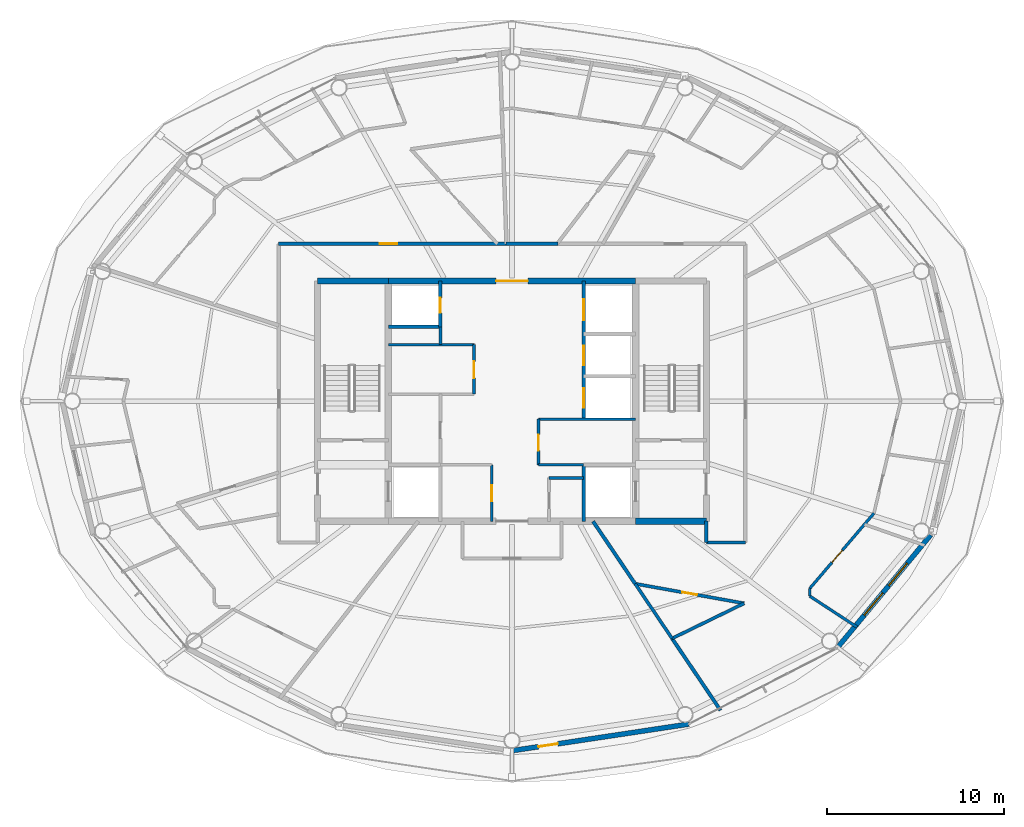
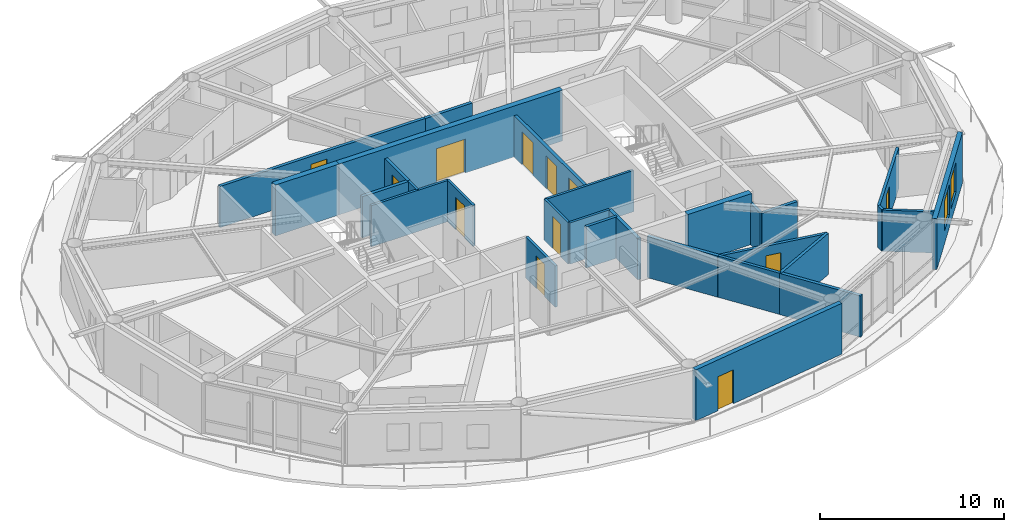
# One storey, part 17 of 22: 29 walls, 12 doors, 2 windows, 14 openings.
"""IFC4 building model written with IfcOpenShell, lengths in metres."""

from ifc_helpers import new_model, si_unit, direction, frame, frame_2d, origin, place, context, subcontext, project, spatial, rectangle, extrude, material, layer, layer_set, type_object, element, fill, save


model = new_model("IFC4")

# Units and contexts
model_context = context("Model", 3, precision=1e-05, world=origin(), true_north=direction((0.0, 1.0)))
body_context = subcontext(model_context, "Body", "Model", "MODEL_VIEW")
ifc_project = project(units=[si_unit("LENGTHUNIT", "METRE"), si_unit("AREAUNIT", "SQUARE_METRE"), si_unit("VOLUMEUNIT", "CUBIC_METRE"), si_unit("PLANEANGLEUNIT", "RADIAN"), si_unit("MASSUNIT", "GRAM", prefix="KILO")], contexts=[model_context])

# Site, building, storey
site_placement = place(None, origin())
site = spatial("IfcSite", under=ifc_project, at=site_placement, CompositionType="ELEMENT")
building_placement = place(site_placement, origin())
building = spatial("IfcBuilding", under=site, at=building_placement, Name="Sarneth Arch Tower", CompositionType="ELEMENT")
storey_placement = place(building_placement, frame((0.0, 0.0, 291.0)))
storey = spatial("IfcBuildingStorey", under=building, at=storey_placement, Name="L75", CompositionType="ELEMENT", Elevation=291.0)

# Walls
ifc_material_1 = material(Name="Concrete C50/60", Category="concrete")
ifc_layer_1 = layer(ifc_material_1, 0.35009765625)
ifc_layer_set_1 = layer_set([ifc_layer_1], Name="Concrete C50/60")
wall_type_1 = type_object("IfcWallType", Name="WALL-CORE-350", PredefinedType="SHEAR", material=ifc_layer_set_1)
for number, where, z_axis, x_axis, name in (
    (1, (55.0, 35.199951171875, 0.0), (0.0, 0.0, 1.0), (1.0, 0.0, 0.0), "L75 Core shear wall S-E"),
    (2, (37.0, 48.800048828125, 0.0), (0.0, 0.0, 1.0), (1.0, 0.0, 0.0), "L75 Core shear wall N-W"),
):
    element("IfcWall", number, at=place(storey_placement, frame(where, z_axis=z_axis, x_axis=x_axis)), inside=storey, type_object=wall_type_1, Name=name, PredefinedType="SHEAR", context=body_context, shape_type="SweptSolid", body=[
        extrude(rectangle(XDim=4.0, YDim=0.35009765625, at=frame_2d((2.0, 0.0))), origin(), (0.0, 0.0, 1.0), 3.3701171875),
    ])

# Wall, opening, door
wall_1_placement = place(storey_placement, frame((41.0, 48.800048828125, 0.0), z_axis=(0.0, 0.0, 1.0), x_axis=(1.0, 0.0, 0.0)))
wall_1 = element("IfcWall", 3, at=wall_1_placement, inside=storey, type_object=wall_type_1, Name="L75 Core shear wall N-M", PredefinedType="SHEAR", context=body_context, shape_type="SweptSolid", body=[
    extrude(rectangle(XDim=14.0, YDim=0.35009765625, at=frame_2d((7.0, 0.0))), origin(), (0.0, 0.0, 1.0), 3.3701171875),
])
opening_1_placement = place(wall_1_placement, frame((6.10009765625, 0.0, 0.0)))
opening_1 = element("IfcOpeningElement", 4, at=opening_1_placement, cuts=wall_1, Name="Opening FD-01", PredefinedType="OPENING", context=body_context, shape_type="SweptSolid", body=[
    extrude(rectangle(XDim=1.800048828125, YDim=2.25, at=frame_2d((0.89990234375, 1.125))), frame((0.0, 0.18505859375, 0.0), z_axis=(0.0, -1.0, 0.0), x_axis=(1.0, 0.0, 0.0)), (0.0, 0.0, 1.0), 0.3701171875),
])
ifc_material_2 = material(Name="Galvanised Steel S275 fire door set", Category="steel")
door_type_1 = type_object("IfcDoorType", Name="DR-FD90-1800", OperationType="DOUBLE_DOOR_SINGLE_SWING", PredefinedType="DOOR", material=ifc_material_2)
door_1_placement = place(opening_1_placement, origin())
door_1 = element("IfcDoor", 5, at=door_1_placement, inside=storey, type_object=door_type_1, Name="L75 Central lift lobby north door", OperationType="DOUBLE_DOOR_SINGLE_SWING", OverallHeight=2.25, OverallWidth=1.800048828125, PredefinedType="DOOR", context=body_context, shape_type="SweptSolid", body=[
    extrude(rectangle(XDim=1.800048828125, YDim=2.25, at=frame_2d((0.89990234375, 1.125))), frame((0.0, 0.02490234375, 0.0), z_axis=(0.0, -1.0, 0.0), x_axis=(1.0, 0.0, 0.0)), (0.0, 0.0, 1.0), 0.050048828125),
])
fill(opening_1, door_1)

ifc_material_3 = material(Name="Double steel-stud corridor fire wall", Category="steel")
ifc_layer_2 = layer(ifc_material_3, 0.18994140625)
ifc_layer_set_2 = layer_set([ifc_layer_2], Name="Double steel-stud corridor fire wall")
wall_type_2 = type_object("IfcWallType", Name="WALL-CORR-190", PredefinedType="PARTITIONING", material=ifc_layer_set_2)
wall_2_placement = place(storey_placement, frame((34.800048828125, 50.89990234375, 0.0), z_axis=(0.0, 0.0, 1.0), x_axis=(1.0, 0.0, 0.0)))
wall_2 = element("IfcWall", 6, at=wall_2_placement, inside=storey, type_object=wall_type_2, Name="L75 Interior partition W-L75-TP-006", PredefinedType="PARTITIONING", context=body_context, shape_type="SweptSolid", body=[
    extrude(rectangle(XDim=12.921142578125, YDim=0.18994140625, at=frame_2d((6.46044921875, 0.0))), origin(), (0.0, 0.0, 1.0), 2.72998046875),
])
opening_2_placement = place(wall_2_placement, frame((5.706787109375, 0.0, 0.0)))
opening_2 = element("IfcOpeningElement", 7, at=opening_2_placement, cuts=wall_2, Name="Opening FD-08", PredefinedType="OPENING", context=body_context, shape_type="SweptSolid", body=[
    extrude(rectangle(XDim=1.0, YDim=2.199951171875, at=frame_2d((0.5, 1.10009765625))), frame((0.0, 0.10498046875, 0.0), z_axis=(0.0, -1.0, 0.0), x_axis=(1.0, 0.0, 0.0)), (0.0, 0.0, 1.0), 0.2099609375),
])
ifc_material_4 = material(Name="Hardwood timber acoustic fire door", Category="wood")
door_type_2 = type_object("IfcDoorType", Name="DR-FD60-1000", OperationType="SINGLE_SWING_LEFT", PredefinedType="DOOR", material=ifc_material_4)
door_2_placement = place(opening_2_placement, origin())
door_2 = element("IfcDoor", 8, at=door_2_placement, inside=storey, type_object=door_type_2, Name="L75 Interior door DR-L75-U2-ENT", OperationType="SINGLE_SWING_LEFT", OverallHeight=2.199951171875, OverallWidth=1.0, PredefinedType="DOOR", context=body_context, shape_type="SweptSolid", body=[
    extrude(rectangle(XDim=1.0, YDim=2.199951171875, at=frame_2d((0.5, 1.10009765625))), frame((0.0, 0.02490234375, 0.0), z_axis=(0.0, -1.0, 0.0), x_axis=(1.0, 0.0, 0.0)), (0.0, 0.0, 1.0), 0.050048828125),
])
fill(opening_2, door_2)

# Walls
wall_3_placement = place(storey_placement, frame((47.6572265625, 50.89990234375, 0.0), z_axis=(0.0, 0.0, 1.0), x_axis=(1.0, 0.0, 0.0)))
element("IfcWall", 9, at=wall_3_placement, inside=storey, type_object=wall_type_2, Name="L75 Interior partition W-L75-TP-001", PredefinedType="PARTITIONING", context=body_context, shape_type="SweptSolid", body=[
    extrude(rectangle(XDim=2.938720703125, YDim=0.18994140625, at=frame_2d((1.46923828125, 0.0))), origin(), (0.0, 0.0, 1.0), 2.72998046875),
])
wall_4_placement = place(storey_placement, frame((61.199951171875, 34.0, 0.0), z_axis=(0.0, 0.0, 1.0), x_axis=(-1.0, 0.0, 0.0)))
element("IfcWall", 10, at=wall_4_placement, inside=storey, type_object=wall_type_2, Name="L75 Interior partition W-L75-TP-014", PredefinedType="PARTITIONING", context=body_context, shape_type="SweptSolid", body=[
    extrude(rectangle(XDim=2.199951171875, YDim=0.18994140625, at=frame_2d((1.10009765625, 0.0))), origin(), (0.0, 0.0, 1.0), 2.72998046875),
])
wall_5_placement = place(storey_placement, frame((59.0, 34.0, 0.0), z_axis=(0.0, 0.0, 1.0), x_axis=(0.0, 1.0, 0.0)))
element("IfcWall", 11, at=wall_5_placement, inside=storey, type_object=wall_type_2, Name="L75 Interior partition W-L75-TP-015", PredefinedType="PARTITIONING", context=body_context, shape_type="SweptSolid", body=[
    extrude(rectangle(XDim=1.23193359375, YDim=0.18994140625, at=frame_2d((0.615966796875, 0.0))), origin(), (0.0, 0.0, 1.0), 2.72998046875),
])

# Wall, opening, door
ifc_material_5 = material(Name="Extruded terracotta rainscreen on Concrete C40/50 backing", Category="masonry")
ifc_layer_3 = layer(ifc_material_5, 0.280029296875)
ifc_layer_set_3 = layer_set([ifc_layer_3], Name="Extruded terracotta rainscreen on Concrete C40/50 backing")
wall_type_3 = type_object("IfcWallType", Name="WALL-EXT-TERRA-280", PredefinedType="SOLIDWALL", material=ifc_layer_set_3)
wall_6_placement = place(storey_placement, frame((48.0, 22.219970703125, 0.0), z_axis=(0.0, 0.0, 1.0), x_axis=(0.988882522213, 0.148698881169, 0.0)))
wall_6 = element("IfcWall", 12, at=wall_6_placement, inside=storey, type_object=wall_type_3, Name="L75 Terracotta perimeter wall 13", PredefinedType="SOLIDWALL", context=body_context, shape_type="SweptSolid", body=[
    extrude(rectangle(XDim=10.125244140625, YDim=0.280029296875, at=frame_2d((5.0625, 0.0))), origin(), (0.0, 0.0, 1.0), 3.3701171875),
])
opening_3_placement = place(wall_6_placement, frame((1.51611328125, 0.0, 0.0)))
opening_3 = element("IfcOpeningElement", 13, at=opening_3_placement, cuts=wall_6, Name="Opening BD-3", PredefinedType="OPENING", context=body_context, shape_type="SweptSolid", body=[
    extrude(rectangle(XDim=1.10009765625, YDim=2.25, at=frame_2d((0.550048828125, 1.125))), frame((0.0, 0.14990234375, 0.0), z_axis=(0.0, -1.0, 0.0), x_axis=(1.0, 0.0, 0.0)), (0.0, 0.0, 1.0), 0.300048828125),
])
ifc_material_6 = material(Name="Thermally broken Aluminium 6063-T6 and laminated safety glass", Category="aluminium")
door_type_3 = type_object("IfcDoorType", Name="DR-BALC-GLZ-1100", OperationType="SINGLE_SWING_LEFT", PredefinedType="DOOR", material=ifc_material_6)
door_3_placement = place(opening_3_placement, origin())
door_3 = element("IfcDoor", 14, at=door_3_placement, inside=storey, type_object=door_type_3, Name="L75 Balcony glazed door 13", OperationType="SINGLE_SWING_LEFT", OverallHeight=2.25, OverallWidth=1.10009765625, PredefinedType="DOOR", context=body_context, shape_type="SweptSolid", body=[
    extrude(rectangle(XDim=1.10009765625, YDim=2.25, at=frame_2d((0.550048828125, 1.125))), frame((0.0, 0.02490234375, 0.0), z_axis=(0.0, -1.0, 0.0), x_axis=(1.0, 0.0, 0.0)), (0.0, 0.0, 1.0), 0.050048828125),
])
fill(opening_3, door_3)

# Wall, openings, windows
wall_7_placement = place(storey_placement, frame((66.382568359375, 28.013427734375, 0.0), z_axis=(0.0, 0.0, 1.0), x_axis=(0.63761509934, 0.770355103243, 0.0)))
wall_7 = element("IfcWall", 15, at=wall_7_placement, inside=storey, type_object=wall_type_3, Name="L75 Terracotta perimeter wall 15", PredefinedType="SOLIDWALL", context=body_context, shape_type="SweptSolid", body=[
    extrude(rectangle(XDim=8.329833984375, YDim=0.280029296875, at=frame_2d((4.1650390625, 0.0))), origin(), (0.0, 0.0, 1.0), 3.3701171875),
])
opening_4_placement = place(wall_7_placement, frame((2.42578125, 0.0, 0.85009765625)))
opening_4 = element("IfcOpeningElement", 16, at=opening_4_placement, cuts=wall_7, Name="Opening W-05", PredefinedType="OPENING", context=body_context, shape_type="SweptSolid", body=[
    extrude(rectangle(XDim=1.64990234375, YDim=2.0, at=frame_2d((0.824951171875, 1.0))), frame((0.0, 0.14990234375, 0.0), z_axis=(0.0, -1.0, 0.0), x_axis=(1.0, 0.0, 0.0)), (0.0, 0.0, 1.0), 0.300048828125),
])
opening_5_placement = place(wall_7_placement, frame((4.59619140625, 0.0, 0.85009765625)))
opening_5 = element("IfcOpeningElement", 17, at=opening_5_placement, cuts=wall_7, Name="Opening W-05", PredefinedType="OPENING", context=body_context, shape_type="SweptSolid", body=[
    extrude(rectangle(XDim=1.64990234375, YDim=2.0, at=frame_2d((0.824951171875, 1.0))), frame((0.0, 0.14990234375, 0.0), z_axis=(0.0, -1.0, 0.0), x_axis=(1.0, 0.0, 0.0)), (0.0, 0.0, 1.0), 0.300048828125),
])
ifc_material_7 = material(Name="Thermally broken Aluminium 6063-T6 and low-e laminated IGU", Category="aluminium")
window_type = type_object("IfcWindowType", Name="WIN-TWR-1650x2000", PartitioningType="DOUBLE_PANEL_VERTICAL", PredefinedType="WINDOW", material=ifc_material_7)
window_1_placement = place(opening_4_placement, origin())
window_1 = element("IfcWindow", 18, at=window_1_placement, inside=storey, type_object=window_type, Name="L75 Exterior window 15A", OverallHeight=2.0, OverallWidth=1.64990234375, PartitioningType="SINGLE_PANEL", PredefinedType="WINDOW", context=body_context, shape_type="SweptSolid", body=[
    extrude(rectangle(XDim=1.64990234375, YDim=2.0, at=frame_2d((0.824951171875, 1.0))), frame((0.0, 0.030029296875, 0.0), z_axis=(0.0, -1.0, 0.0), x_axis=(1.0, 0.0, 0.0)), (0.0, 0.0, 1.0), 0.06005859375),
])
fill(opening_4, window_1)
window_2_placement = place(opening_5_placement, origin())
window_2 = element("IfcWindow", 19, at=window_2_placement, inside=storey, type_object=window_type, Name="L75 Exterior window 15B", OverallHeight=2.0, OverallWidth=1.64990234375, PartitioningType="SINGLE_PANEL", PredefinedType="WINDOW", context=body_context, shape_type="SweptSolid", body=[
    extrude(rectangle(XDim=1.64990234375, YDim=2.0, at=frame_2d((0.824951171875, 1.0))), frame((0.0, 0.030029296875, 0.0), z_axis=(0.0, -1.0, 0.0), x_axis=(1.0, 0.0, 0.0)), (0.0, 0.0, 1.0), 0.06005859375),
])
fill(opening_5, window_2)

# Walls
ifc_material_8 = material(Name="Acoustic gypsum stud partition", Category="gypsum")
ifc_layer_4 = layer(ifc_material_8, 0.14990234375)
ifc_layer_set_4 = layer_set([ifc_layer_4], Name="Acoustic gypsum stud partition")
wall_type_4 = type_object("IfcWallType", Name="WALL-PART-150", PredefinedType="PARTITIONING", material=ifc_layer_set_4)
wall_8_placement = place(storey_placement, frame((41.0, 45.199951171875, 0.0), z_axis=(0.0, 0.0, 1.0), x_axis=(1.0, 0.0, 0.0)))
element("IfcWall", 20, at=wall_8_placement, inside=storey, type_object=wall_type_4, Name="L75 Interior partition W-L75-RECPM1-N", PredefinedType="PARTITIONING", context=body_context, shape_type="SweptSolid", body=[
    extrude(rectangle(XDim=4.85009765625, YDim=0.14990234375, at=frame_2d((2.425048828125, 0.0))), origin(), (0.0, 0.0, 1.0), 2.72998046875),
])
wall_9_placement = place(storey_placement, frame((43.949951171875, 45.199951171875, 0.0), z_axis=(0.0, 0.0, 1.0), x_axis=(0.0, 1.0, 0.0)))
element("IfcWall", 21, at=wall_9_placement, inside=storey, type_object=wall_type_4, Name="L75 Interior partition W-L75-RECPM1-W2", PredefinedType="PARTITIONING", context=body_context, shape_type="SweptSolid", body=[
    extrude(rectangle(XDim=1.0, YDim=0.14990234375, at=frame_2d((0.5, 0.0))), origin(), (0.0, 0.0, 1.0), 2.72998046875),
])

# Wall, opening, door
wall_10_placement = place(storey_placement, frame((45.85009765625, 42.39990234375, 0.0), z_axis=(0.0, 0.0, 1.0), x_axis=(0.0, 1.0, 0.0)))
wall_10 = element("IfcWall", 22, at=wall_10_placement, inside=storey, type_object=wall_type_4, Name="L75 Interior partition W-L75-RECPM1-E", PredefinedType="PARTITIONING", context=body_context, shape_type="SweptSolid", body=[
    extrude(rectangle(XDim=2.800048828125, YDim=0.14990234375, at=frame_2d((1.39990234375, 0.0))), origin(), (0.0, 0.0, 1.0), 2.72998046875),
])
opening_6_placement = place(wall_10_placement, frame((0.89990234375, 0.0, 0.0)))
opening_6 = element("IfcOpeningElement", 23, at=opening_6_placement, cuts=wall_10, Name="Opening FD-09", PredefinedType="OPENING", context=body_context, shape_type="SweptSolid", body=[
    extrude(rectangle(XDim=0.949951171875, YDim=2.14990234375, at=frame_2d((0.47509765625, 1.074951171875))), frame((0.0, 0.0849609375, 0.0), z_axis=(0.0, -1.0, 0.0), x_axis=(1.0, 0.0, 0.0)), (0.0, 0.0, 1.0), 0.169921875),
])
ifc_material_9 = material(Name="Hardwood timber hotel entrance fire door", Category="wood")
door_type_4 = type_object("IfcDoorType", Name="DR-FD60-950", OperationType="SINGLE_SWING_RIGHT", PredefinedType="DOOR", material=ifc_material_9)
door_4_placement = place(opening_6_placement, origin())
door_4 = element("IfcDoor", 24, at=door_4_placement, inside=storey, type_object=door_type_4, Name="L75 Interior door DR-L75-RECPM1", OperationType="SINGLE_SWING_RIGHT", OverallHeight=2.14990234375, OverallWidth=0.949951171875, PredefinedType="DOOR", context=body_context, shape_type="SweptSolid", body=[
    extrude(rectangle(XDim=0.949951171875, YDim=2.14990234375, at=frame_2d((0.47509765625, 1.074951171875))), frame((0.0, 0.02490234375, 0.0), z_axis=(0.0, -1.0, 0.0), x_axis=(1.0, 0.0, 0.0)), (0.0, 0.0, 1.0), 0.050048828125),
])
fill(opening_6, door_4)

# Walls
wall_11_placement = place(storey_placement, frame((49.5, 40.97998046875, 0.0), z_axis=(0.0, 0.0, 1.0), x_axis=(1.0, 0.0, 0.0)))
element("IfcWall", 25, at=wall_11_placement, inside=storey, type_object=wall_type_4, Name="L75 Interior partition W-L75-RECPM2-N", PredefinedType="PARTITIONING", context=body_context, shape_type="SweptSolid", body=[
    extrude(rectangle(XDim=5.5, YDim=0.14990234375, at=frame_2d((2.75, 0.0))), origin(), (0.0, 0.0, 1.0), 2.72998046875),
])
wall_12_placement = place(storey_placement, frame((49.5, 38.39990234375, 0.0), z_axis=(0.0, 0.0, 1.0), x_axis=(1.0, 0.0, 0.0)))
element("IfcWall", 26, at=wall_12_placement, inside=storey, type_object=wall_type_4, Name="L75 Interior partition W-L75-RECPM2-S", PredefinedType="PARTITIONING", context=body_context, shape_type="SweptSolid", body=[
    extrude(rectangle(XDim=2.550048828125, YDim=0.14990234375, at=frame_2d((1.27490234375, 0.0))), origin(), (0.0, 0.0, 1.0), 2.72998046875),
])

# Wall, opening, door
wall_13_placement = place(storey_placement, frame((49.5, 38.39990234375, 0.0), z_axis=(0.0, 0.0, 1.0), x_axis=(0.0, 1.0, 0.0)))
wall_13 = element("IfcWall", 27, at=wall_13_placement, inside=storey, type_object=wall_type_4, Name="L75 Interior partition W-L75-RECPM2-W", PredefinedType="PARTITIONING", context=body_context, shape_type="SweptSolid", body=[
    extrude(rectangle(XDim=2.580078125, YDim=0.14990234375, at=frame_2d((1.2900390625, 0.0))), origin(), (0.0, 0.0, 1.0), 2.72998046875),
])
opening_7_placement = place(wall_13_placement, frame((0.800048828125, 0.0, 0.0)))
opening_7 = element("IfcOpeningElement", 28, at=opening_7_placement, cuts=wall_13, Name="Opening FD-10", PredefinedType="OPENING", context=body_context, shape_type="SweptSolid", body=[
    extrude(rectangle(XDim=0.89990234375, YDim=2.14990234375, at=frame_2d((0.449951171875, 1.074951171875))), frame((0.0, 0.0849609375, 0.0), z_axis=(0.0, -1.0, 0.0), x_axis=(1.0, 0.0, 0.0)), (0.0, 0.0, 1.0), 0.169921875),
])
ifc_material_10 = material(Name="Galvanised Steel S275 riser/service fire door", Category="steel")
door_type_5 = type_object("IfcDoorType", Name="DR-FD60-900", OperationType="SINGLE_SWING_LEFT", PredefinedType="DOOR", material=ifc_material_10)
door_5_placement = place(opening_7_placement, origin())
door_5 = element("IfcDoor", 29, at=door_5_placement, inside=storey, type_object=door_type_5, Name="L75 Interior door DR-L75-RECPM2", OperationType="SINGLE_SWING_LEFT", OverallHeight=2.14990234375, OverallWidth=0.89990234375, PredefinedType="DOOR", context=body_context, shape_type="SweptSolid", body=[
    extrude(rectangle(XDim=0.89990234375, YDim=2.14990234375, at=frame_2d((0.449951171875, 1.074951171875))), frame((0.0, 0.02490234375, 0.0), z_axis=(0.0, -1.0, 0.0), x_axis=(1.0, 0.0, 0.0)), (0.0, 0.0, 1.0), 0.050048828125),
])
fill(opening_7, door_5)

wall_14_placement = place(storey_placement, frame((46.85009765625, 35.199951171875, 0.0), z_axis=(0.0, 0.0, 1.0), x_axis=(0.0, 1.0, 0.0)))
wall_14 = element("IfcWall", 30, at=wall_14_placement, inside=storey, type_object=wall_type_4, Name="L75 Interior partition W-L75-CSUP1-E", PredefinedType="PARTITIONING", context=body_context, shape_type="SweptSolid", body=[
    extrude(rectangle(XDim=3.199951171875, YDim=0.14990234375, at=frame_2d((1.60009765625, 0.0))), origin(), (0.0, 0.0, 1.0), 2.72998046875),
])
opening_8_placement = place(wall_14_placement, frame((1.14990234375, 0.0, 0.0)))
opening_8 = element("IfcOpeningElement", 31, at=opening_8_placement, cuts=wall_14, Name="Opening FD-10", PredefinedType="OPENING", context=body_context, shape_type="SweptSolid", body=[
    extrude(rectangle(XDim=0.89990234375, YDim=2.14990234375, at=frame_2d((0.449951171875, 1.074951171875))), frame((0.0, 0.0849609375, 0.0), z_axis=(0.0, -1.0, 0.0), x_axis=(1.0, 0.0, 0.0)), (0.0, 0.0, 1.0), 0.169921875),
])
door_6_placement = place(opening_8_placement, origin())
door_6 = element("IfcDoor", 32, at=door_6_placement, inside=storey, type_object=door_type_5, Name="L75 Interior door DR-L75-CSUP1", OperationType="SINGLE_SWING_LEFT", OverallHeight=2.14990234375, OverallWidth=0.89990234375, PredefinedType="DOOR", context=body_context, shape_type="SweptSolid", body=[
    extrude(rectangle(XDim=0.89990234375, YDim=2.14990234375, at=frame_2d((0.449951171875, 1.074951171875))), frame((0.0, 0.02490234375, 0.0), z_axis=(0.0, -1.0, 0.0), x_axis=(1.0, 0.0, 0.0)), (0.0, 0.0, 1.0), 0.050048828125),
])
fill(opening_8, door_6)

ifc_material_11 = material(Name="Kitchen wet service chase wall", Category="gypsum")
ifc_layer_5 = layer(ifc_material_11, 0.159912109375)
ifc_layer_set_5 = layer_set([ifc_layer_5], Name="Kitchen wet service chase wall")
wall_type_5 = type_object("IfcWallType", Name="WALL-PLUMB-160", PredefinedType="PLUMBINGWALL", material=ifc_layer_set_5)
wall_15_placement = place(storey_placement, frame((64.85009765625, 31.401123046875, 0.0), z_axis=(0.0, 0.0, 1.0), x_axis=(0.649208179997, 0.760610767097, 0.0)))
wall_15 = element("IfcWall", 33, at=wall_15_placement, inside=storey, type_object=wall_type_5, Name="L75 Interior partition W-L75-TP-080", PredefinedType="PLUMBINGWALL", context=body_context, shape_type="SweptSolid", body=[
    extrude(rectangle(XDim=5.5927734375, YDim=0.159912109375, at=frame_2d((2.79638671875, 0.0))), origin(), (0.0, 0.0, 1.0), 2.72998046875),
])
opening_9_placement = place(wall_15_placement, frame((1.933349609375, 0.0, 0.0)))
opening_9 = element("IfcOpeningElement", 34, at=opening_9_placement, cuts=wall_15, Name="Opening ID-01", PredefinedType="OPENING", context=body_context, shape_type="SweptSolid", body=[
    extrude(rectangle(XDim=0.89990234375, YDim=2.10009765625, at=frame_2d((0.449951171875, 1.050048828125))), frame((0.0, 0.08984375, 0.0), z_axis=(0.0, -1.0, 0.0), x_axis=(1.0, 0.0, 0.0)), (0.0, 0.0, 1.0), 0.179931640625),
])
ifc_material_12 = material(Name="Engineered hardwood flush door", Category="wood")
door_type_6 = type_object("IfcDoorType", Name="DR-INT-900", OperationType="SINGLE_SWING_LEFT", PredefinedType="DOOR", material=ifc_material_12)
door_7_placement = place(opening_9_placement, origin())
door_7 = element("IfcDoor", 35, at=door_7_placement, inside=storey, type_object=door_type_6, Name="L75 Interior door DR-L75-U5-KIT", OperationType="SINGLE_SWING_RIGHT", OverallHeight=2.10009765625, OverallWidth=0.89990234375, PredefinedType="DOOR", context=body_context, shape_type="SweptSolid", body=[
    extrude(rectangle(XDim=0.89990234375, YDim=2.10009765625, at=frame_2d((0.449951171875, 1.050048828125))), frame((0.0, 0.02490234375, 0.0), z_axis=(0.0, -1.0, 0.0), x_axis=(1.0, 0.0, 0.0)), (0.0, 0.0, 1.0), 0.050048828125),
])
fill(opening_9, door_7)

# Walls
wall_16_placement = place(storey_placement, frame((67.530029296875, 29.212890625, 0.0), z_axis=(0.0, 0.0, 1.0), x_axis=(-0.836629755679, 0.547768794212, 0.0)))
element("IfcWall", 36, at=wall_16_placement, inside=storey, type_object=wall_type_5, Name="L75 Interior partition W-L75-TP-078", PredefinedType="PLUMBINGWALL", context=body_context, shape_type="SweptSolid", body=[
    extrude(rectangle(XDim=3.203125, YDim=0.159912109375, at=frame_2d((1.6015625, 0.0))), origin(), (0.0, 0.0, 1.0), 2.72998046875),
])
wall_17_placement = place(storey_placement, frame((64.85009765625, 30.967529296875, 0.0), z_axis=(0.0, 0.0, 1.0), x_axis=(0.0, 1.0, 0.0)))
element("IfcWall", 37, at=wall_17_placement, inside=storey, type_object=wall_type_5, Name="L75 Interior partition W-L75-TP-079", PredefinedType="PLUMBINGWALL", context=body_context, shape_type="SweptSolid", body=[
    extrude(rectangle(XDim=0.43359375, YDim=0.159912109375, at=frame_2d((0.216796875, 0.0))), origin(), (0.0, 0.0, 1.0), 2.72998046875),
])
ifc_material_13 = material(Name="Moisture-resistant plumbing chase wall", Category="gypsum")
ifc_layer_6 = layer(ifc_material_13, 0.179931640625)
ifc_layer_set_6 = layer_set([ifc_layer_6], Name="Moisture-resistant plumbing chase wall")
wall_type_6 = type_object("IfcWallType", Name="WALL-PLUMB-180", PredefinedType="PLUMBINGWALL", material=ifc_layer_set_6)
wall_18_placement = place(storey_placement, frame((50.10009765625, 37.64990234375, 0.0), z_axis=(0.0, 0.0, 1.0), x_axis=(1.0, 0.0, 0.0)))
element("IfcWall", 38, at=wall_18_placement, inside=storey, type_object=wall_type_6, Name="L75 Interior partition W-L75-AWC-N", PredefinedType="PLUMBINGWALL", context=body_context, shape_type="SweptSolid", body=[
    extrude(rectangle(XDim=1.949951171875, YDim=0.179931640625, at=frame_2d((0.97509765625, 0.0))), origin(), (0.0, 0.0, 1.0), 2.72998046875),
])

# Wall, opening, door
wall_19_placement = place(storey_placement, frame((54.9697265625, 31.6669921875, 0.0), z_axis=(0.0, 0.0, 1.0), x_axis=(0.98424617738, -0.176803456736, 0.0)))
wall_19 = element("IfcWall", 39, at=wall_19_placement, inside=storey, type_object=wall_type_6, Name="L75 Interior partition W-L75-TP-081", PredefinedType="PLUMBINGWALL", context=body_context, shape_type="SweptSolid", body=[
    extrude(rectangle(XDim=6.264892578125, YDim=0.179931640625, at=frame_2d((3.13232421875, 0.0))), origin(), (0.0, 0.0, 1.0), 2.72998046875),
])
opening_10_placement = place(wall_19_placement, frame((2.70751953125, 0.0, 0.0)))
opening_10 = element("IfcOpeningElement", 40, at=opening_10_placement, cuts=wall_19, Name="Opening ID-02", PredefinedType="OPENING", context=body_context, shape_type="SweptSolid", body=[
    extrude(rectangle(XDim=0.85009765625, YDim=2.10009765625, at=frame_2d((0.425048828125, 1.050048828125))), frame((0.0, 0.099853515625, 0.0), z_axis=(0.0, -1.0, 0.0), x_axis=(1.0, 0.0, 0.0)), (0.0, 0.0, 1.0), 0.199951171875),
])
ifc_material_14 = material(Name="Moisture-resistant bathroom timber door", Category="wood")
door_type_7 = type_object("IfcDoorType", Name="DR-INT-850", OperationType="SINGLE_SWING_RIGHT", PredefinedType="DOOR", material=ifc_material_14)
door_8_placement = place(opening_10_placement, origin())
door_8 = element("IfcDoor", 41, at=door_8_placement, inside=storey, type_object=door_type_7, Name="L75 Interior door DR-L75-U5-BATH", OperationType="SINGLE_SWING_LEFT", OverallHeight=2.10009765625, OverallWidth=0.85009765625, PredefinedType="DOOR", context=body_context, shape_type="SweptSolid", body=[
    extrude(rectangle(XDim=0.85009765625, YDim=2.10009765625, at=frame_2d((0.425048828125, 1.050048828125))), frame((0.0, 0.02490234375, 0.0), z_axis=(0.0, -1.0, 0.0), x_axis=(1.0, 0.0, 0.0)), (0.0, 0.0, 1.0), 0.050048828125),
])
fill(opening_10, door_8)

# Walls
wall_20_placement = place(storey_placement, frame((61.135986328125, 30.559326171875, 0.0), z_axis=(0.0, 0.0, 1.0), x_axis=(-0.898933361371, -0.438085393291, 0.0)))
element("IfcWall", 42, at=wall_20_placement, inside=storey, type_object=wall_type_6, Name="L75 Interior partition W-L75-TP-082", PredefinedType="PLUMBINGWALL", context=body_context, shape_type="SweptSolid", body=[
    extrude(rectangle(XDim=4.536865234375, YDim=0.179931640625, at=frame_2d((2.2685546875, 0.0))), origin(), (0.0, 0.0, 1.0), 2.72998046875),
])
wall_21_placement = place(storey_placement, frame((57.0576171875, 28.57177734375, 0.0), z_axis=(0.0, 0.0, 1.0), x_axis=(-0.559219016168, 0.82901995872, 0.0)))
element("IfcWall", 43, at=wall_21_placement, inside=storey, type_object=wall_type_6, Name="L75 Interior partition W-L75-TP-077", PredefinedType="PLUMBINGWALL", context=body_context, shape_type="SweptSolid", body=[
    extrude(rectangle(XDim=3.733642578125, YDim=0.179931640625, at=frame_2d((1.86669921875, 0.0))), origin(), (0.0, 0.0, 1.0), 2.72998046875),
])
ifc_material_15 = material(Name="Aerated concrete blockwork C25/30", Category="masonry")
ifc_layer_7 = layer(ifc_material_15, 0.199951171875)
ifc_layer_set_7 = layer_set([ifc_layer_7], Name="Aerated concrete blockwork C25/30")
wall_type_7 = type_object("IfcWallType", Name="WALL-SHAFT-200", PredefinedType="SOLIDWALL", material=ifc_layer_set_7)
wall_22_placement = place(storey_placement, frame((52.050048828125, 35.199951171875, 0.0), z_axis=(0.0, 0.0, 1.0), x_axis=(0.0, 1.0, 0.0)))
element("IfcWall", 44, at=wall_22_placement, inside=storey, type_object=wall_type_7, Name="L75 Interior partition W-L75-FL2-W", PredefinedType="SOLIDWALL", context=body_context, shape_type="SweptSolid", body=[
    extrude(rectangle(XDim=3.199951171875, YDim=0.199951171875, at=frame_2d((1.60009765625, 0.0))), origin(), (0.0, 0.0, 1.0), 2.72998046875),
])
wall_23_placement = place(storey_placement, frame((41.0, 46.199951171875, 0.0), z_axis=(0.0, 0.0, 1.0), x_axis=(1.0, 0.0, 0.0)))
element("IfcWall", 45, at=wall_23_placement, inside=storey, type_object=wall_type_7, Name="L75 Interior partition W-L75-RISER-S", PredefinedType="SOLIDWALL", context=body_context, shape_type="SweptSolid", body=[
    extrude(rectangle(XDim=2.949951171875, YDim=0.199951171875, at=frame_2d((1.47509765625, 0.0))), origin(), (0.0, 0.0, 1.0), 2.72998046875),
])

# Wall, opening, door
wall_24_placement = place(storey_placement, frame((43.949951171875, 46.199951171875, 0.0), z_axis=(0.0, 0.0, 1.0), x_axis=(0.0, 1.0, 0.0)))
wall_24 = element("IfcWall", 46, at=wall_24_placement, inside=storey, type_object=wall_type_7, Name="L75 Interior partition W-L75-RISER-E", PredefinedType="SOLIDWALL", context=body_context, shape_type="SweptSolid", body=[
    extrude(rectangle(XDim=2.60009765625, YDim=0.199951171875, at=frame_2d((1.300048828125, 0.0))), origin(), (0.0, 0.0, 1.0), 2.72998046875),
])
opening_11_placement = place(wall_24_placement, frame((0.800048828125, 0.0, 0.0)))
opening_11 = element("IfcOpeningElement", 47, at=opening_11_placement, cuts=wall_24, Name="Opening FD-11", PredefinedType="OPENING", context=body_context, shape_type="SweptSolid", body=[
    extrude(rectangle(XDim=0.85009765625, YDim=2.14990234375, at=frame_2d((0.425048828125, 1.074951171875))), frame((0.0, 0.10986328125, 0.0), z_axis=(0.0, -1.0, 0.0), x_axis=(1.0, 0.0, 0.0)), (0.0, 0.0, 1.0), 0.219970703125),
])
ifc_material_16 = material(Name="Galvanised Steel S275 closet fire door", Category="steel")
door_type_8 = type_object("IfcDoorType", Name="DR-FD60-850", OperationType="SINGLE_SWING_LEFT", PredefinedType="DOOR", material=ifc_material_16)
door_9_placement = place(opening_11_placement, origin())
door_9 = element("IfcDoor", 48, at=door_9_placement, inside=storey, type_object=door_type_8, Name="L75 Lift landing door DR-L75-RISER", OperationType="SINGLE_SWING_LEFT", OverallHeight=2.14990234375, OverallWidth=0.85009765625, PredefinedType="DOOR", context=body_context, shape_type="SweptSolid", body=[
    extrude(rectangle(XDim=0.85009765625, YDim=2.14990234375, at=frame_2d((0.425048828125, 1.074951171875))), frame((0.0, 0.02490234375, 0.0), z_axis=(0.0, -1.0, 0.0), x_axis=(1.0, 0.0, 0.0)), (0.0, 0.0, 1.0), 0.050048828125),
])
fill(opening_11, door_9)

# Wall, openings, doors
wall_25_placement = place(storey_placement, frame((52.050048828125, 40.97998046875, 0.0), z_axis=(0.0, 0.0, 1.0), x_axis=(0.0, 1.0, 0.0)))
wall_25 = element("IfcWall", 49, at=wall_25_placement, inside=storey, type_object=wall_type_7, Name="L75 Interior partition W-L75-EASTBANK-UPPER", PredefinedType="SOLIDWALL", context=body_context, shape_type="SweptSolid", body=[
    extrude(rectangle(XDim=7.820068359375, YDim=0.199951171875, at=frame_2d((3.91015625, 0.0))), origin(), (0.0, 0.0, 1.0), 2.72998046875),
])
opening_12_placement = place(wall_25_placement, frame((0.64990234375, 0.0, 0.0)))
opening_12 = element("IfcOpeningElement", 50, at=opening_12_placement, cuts=wall_25, Name="Opening LD-1", PredefinedType="OPENING", context=body_context, shape_type="SweptSolid", body=[
    extrude(rectangle(XDim=1.10009765625, YDim=2.199951171875, at=frame_2d((0.550048828125, 1.10009765625))), frame((0.0, 0.10986328125, 0.0), z_axis=(0.0, -1.0, 0.0), x_axis=(1.0, 0.0, 0.0)), (0.0, 0.0, 1.0), 0.219970703125),
])
opening_13_placement = place(wall_25_placement, frame((3.050048828125, 0.0, 0.0)))
opening_13 = element("IfcOpeningElement", 51, at=opening_13_placement, cuts=wall_25, Name="Opening LD-1", PredefinedType="OPENING", context=body_context, shape_type="SweptSolid", body=[
    extrude(rectangle(XDim=1.10009765625, YDim=2.199951171875, at=frame_2d((0.550048828125, 1.10009765625))), frame((0.0, 0.10986328125, 0.0), z_axis=(0.0, -1.0, 0.0), x_axis=(1.0, 0.0, 0.0)), (0.0, 0.0, 1.0), 0.219970703125),
])
opening_14_placement = place(wall_25_placement, frame((5.60009765625, 0.0, 0.0)))
opening_14 = element("IfcOpeningElement", 52, at=opening_14_placement, cuts=wall_25, Name="Opening LD-2", PredefinedType="OPENING", context=body_context, shape_type="SweptSolid", body=[
    extrude(rectangle(XDim=1.199951171875, YDim=2.199951171875, at=frame_2d((0.60009765625, 1.10009765625))), frame((0.0, 0.10986328125, 0.0), z_axis=(0.0, -1.0, 0.0), x_axis=(1.0, 0.0, 0.0)), (0.0, 0.0, 1.0), 0.219970703125),
])
ifc_material_17 = material(Name="Brushed Stainless Steel 304 lift landing door", Category="steel")
door_type_9 = type_object("IfcDoorType", Name="DR-LIFT-SLIDE-1100", OperationType="SLIDING_TO_LEFT", PredefinedType="DOOR", material=ifc_material_17)
door_10_placement = place(opening_12_placement, origin())
door_10 = element("IfcDoor", 53, at=door_10_placement, inside=storey, type_object=door_type_9, Name="L75 Lift landing door DR-L75-LD-PH1", OperationType="SLIDING_TO_RIGHT", OverallHeight=2.199951171875, OverallWidth=1.10009765625, PredefinedType="DOOR", context=body_context, shape_type="SweptSolid", body=[
    extrude(rectangle(XDim=1.10009765625, YDim=2.199951171875, at=frame_2d((0.550048828125, 1.10009765625))), frame((0.0, 0.02490234375, 0.0), z_axis=(0.0, -1.0, 0.0), x_axis=(1.0, 0.0, 0.0)), (0.0, 0.0, 1.0), 0.050048828125),
])
fill(opening_12, door_10)
door_11_placement = place(opening_13_placement, origin())
door_11 = element("IfcDoor", 54, at=door_11_placement, inside=storey, type_object=door_type_9, Name="L75 Lift landing door DR-L75-LD-PH2", OperationType="SLIDING_TO_LEFT", OverallHeight=2.199951171875, OverallWidth=1.10009765625, PredefinedType="DOOR", context=body_context, shape_type="SweptSolid", body=[
    extrude(rectangle(XDim=1.10009765625, YDim=2.199951171875, at=frame_2d((0.550048828125, 1.10009765625))), frame((0.0, 0.02490234375, 0.0), z_axis=(0.0, -1.0, 0.0), x_axis=(1.0, 0.0, 0.0)), (0.0, 0.0, 1.0), 0.050048828125),
])
fill(opening_13, door_11)
ifc_material_18 = material(Name="Brushed Stainless Steel 304 service lift door", Category="steel")
door_type_10 = type_object("IfcDoorType", Name="DR-LIFT-SLIDE-1200", OperationType="SLIDING_TO_RIGHT", PredefinedType="DOOR", material=ifc_material_18)
door_12_placement = place(opening_14_placement, origin())
door_12 = element("IfcDoor", 55, at=door_12_placement, inside=storey, type_object=door_type_10, Name="L75 Lift landing door DR-L75-LD-SL1", OperationType="SLIDING_TO_RIGHT", OverallHeight=2.199951171875, OverallWidth=1.199951171875, PredefinedType="DOOR", context=body_context, shape_type="SweptSolid", body=[
    extrude(rectangle(XDim=1.199951171875, YDim=2.199951171875, at=frame_2d((0.60009765625, 1.10009765625))), frame((0.0, 0.02490234375, 0.0), z_axis=(0.0, -1.0, 0.0), x_axis=(1.0, 0.0, 0.0)), (0.0, 0.0, 1.0), 0.050048828125),
])
fill(opening_14, door_12)

# Walls
ifc_material_19 = material(Name="Double steel-stud acoustic drywall", Category="steel")
ifc_layer_8 = layer(ifc_material_19, 0.199951171875)
ifc_layer_set_8 = layer_set([ifc_layer_8], Name="Double steel-stud acoustic drywall")
wall_type_8 = type_object("IfcWallType", Name="WALL-UNIT-200", PredefinedType="PARTITIONING", material=ifc_layer_set_8)
wall_26_placement = place(storey_placement, frame((59.79931640625, 24.507080078125, 0.0), z_axis=(0.0, 0.0, 1.0), x_axis=(-0.559196589516, 0.829035086274, 0.0)))
element("IfcWall", 56, at=wall_26_placement, inside=storey, type_object=wall_type_8, Name="L75 Interior partition W-L75-TP-076", PredefinedType="PARTITIONING", context=body_context, shape_type="SweptSolid", body=[
    extrude(rectangle(XDim=4.90283203125, YDim=0.199951171875, at=frame_2d((2.451416015625, 0.0))), origin(), (0.0, 0.0, 1.0), 2.72998046875),
])
wall_27_placement = place(storey_placement, frame((54.9697265625, 31.6669921875, 0.0), z_axis=(0.0, 0.0, 1.0), x_axis=(-0.559200276542, 0.829032599308, 0.0)))
element("IfcWall", 57, at=wall_27_placement, inside=storey, type_object=wall_type_8, Name="L75 Interior partition W-L75-TP-075", PredefinedType="PARTITIONING", context=body_context, shape_type="SweptSolid", body=[
    extrude(rectangle(XDim=4.261474609375, YDim=0.199951171875, at=frame_2d((2.130859375, 0.0))), origin(), (0.0, 0.0, 1.0), 2.72998046875),
])

save(model, "model.ifc")
